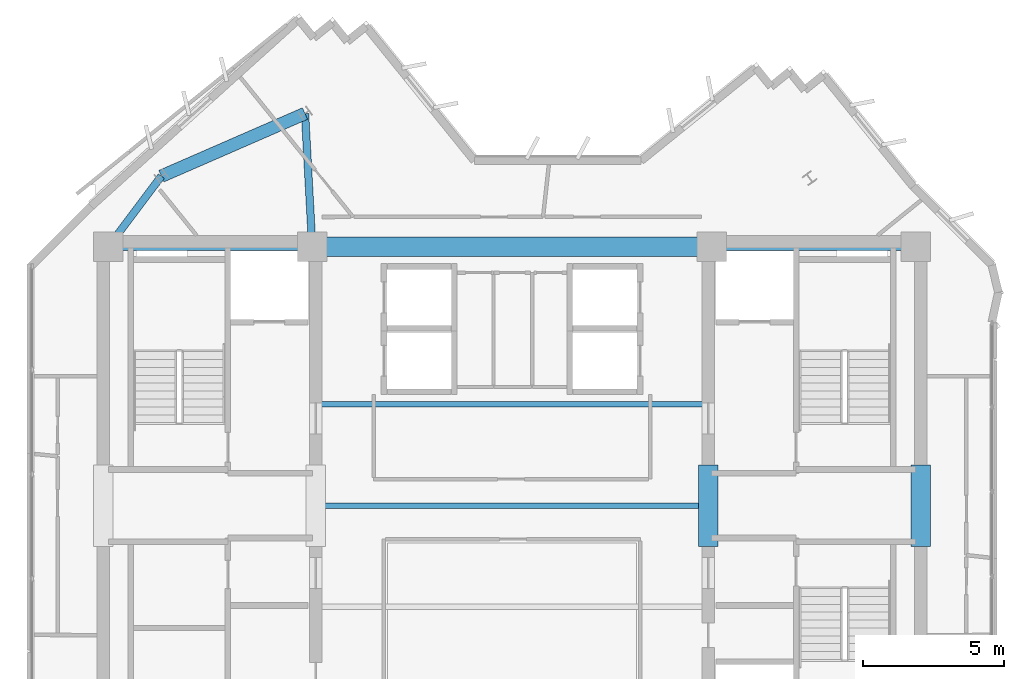
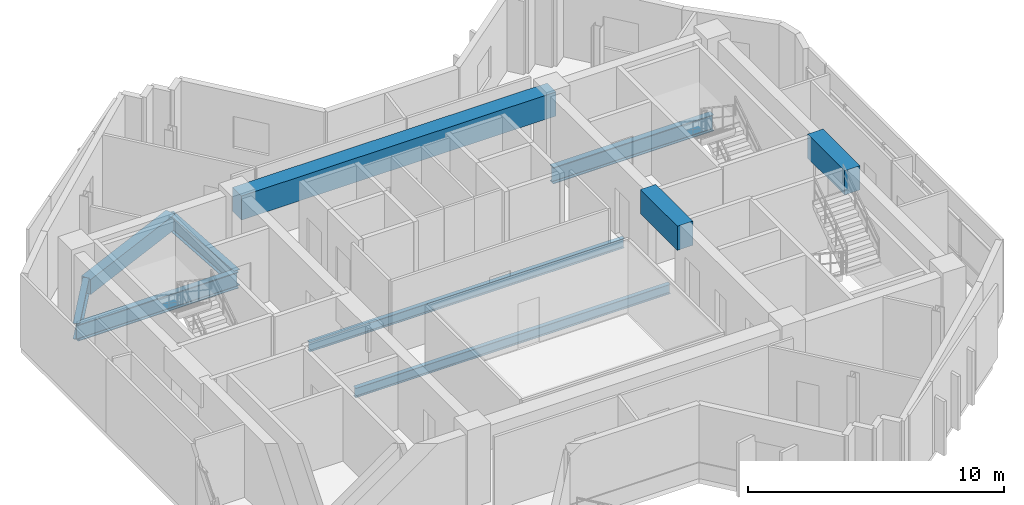
# One storey, part 3 of 11: 10 beams.
"""IFC4 building model written with IfcOpenShell, lengths in metres."""

from ifc_helpers import new_model, si_unit, direction, frame, origin, origin_2d, place, context, subcontext, project, spatial, rectangle, i_section, extrude, source, transform, mapped, material, material_profile, profile_set, type_object, element, save


model = new_model("IFC4")

# Units and contexts
model_context = context("Model", 3, precision=1e-05, world=origin(), true_north=direction((0.0, 1.0)))
body_context = subcontext(model_context, "Body", "Model", "MODEL_VIEW")
ifc_project = project(units=[si_unit("LENGTHUNIT", "METRE"), si_unit("AREAUNIT", "SQUARE_METRE"), si_unit("VOLUMEUNIT", "CUBIC_METRE"), si_unit("PLANEANGLEUNIT", "RADIAN"), si_unit("MASSUNIT", "GRAM", prefix="KILO")], contexts=[model_context])

# Site, building, storey
site_placement = place(None, origin())
site = spatial("IfcSite", under=ifc_project, at=site_placement, CompositionType="ELEMENT")
building_placement = place(site_placement, origin())
building = spatial("IfcBuilding", under=site, at=building_placement, Name="Zahravan Cultural Tower", CompositionType="ELEMENT")
storey_placement = place(building_placement, frame((0.0, 0.0, 287.85009765625)))
storey = spatial("IfcBuildingStorey", under=building, at=storey_placement, Name="L69", CompositionType="ELEMENT", Elevation=287.85009765625)

# Beams
ifc_material_1 = material(Name="Concrete C50/60", Category="concrete")
ifc_material_profile_1 = material_profile(ifc_material_1, rectangle(XDim=0.699951171875, YDim=1.14990234375, at=origin_2d()), Name="RC700X1150")
ifc_profile_set_1 = profile_set([ifc_material_profile_1], Name="Concrete C50/60")
beam_type_1 = type_object("IfcBeamType", Name="BM-LN-RC700X1150", PredefinedType="LINTEL", material=ifc_profile_set_1)
shared_shape_1 = source(origin(), body_context, "Body", "SweptSolid", [
    extrude(rectangle(XDim=0.699951171875, YDim=1.14990234375, at=origin_2d()), origin(), (0.0, 0.0, 1.0), 14.2001953125),
])
beam_1_placement = place(storey_placement, frame((28.89990234375, 36.199951171875, 2.9248046875), z_axis=(1.0, 0.0, 0.0), x_axis=(0.0, 1.0, 0.0)))
element("IfcBeam", 1, at=beam_1_placement, inside=storey, type_object=beam_type_1, Name="L69 Beam LN-L69-N", PredefinedType="LINTEL", context=body_context, shape_type="MappedRepresentation", body=[
    mapped(shared_shape_1, transform((0.0, 0.0, 0.0), x_axis=(1.0, 0.0, 0.0), y_axis=(0.0, 1.0, 0.0), z_axis=(0.0, 0.0, 1.0), scale=1.0)),
])
shared_shape_2 = source(origin(), body_context, "Body", "SweptSolid", [
    extrude(rectangle(XDim=0.699951171875, YDim=1.14990234375, at=origin_2d()), origin(), (0.0, 0.0, 1.0), 2.89990234375),
])
for number, where, z_axis, x_axis, name in (
    (2, (42.97509765625, 25.550048828125, 2.9248046875), (0.0, 1.0, 0.0), (-1.0, 0.0, 0.0), "L69 Beam LN-L69-PEW"),
    (3, (50.52490234375, 25.550048828125, 2.9248046875), (0.0, 1.0, 0.0), (-1.0, 0.0, 0.0), "L69 Beam LN-L69-PEE"),
):
    element("IfcBeam", number, at=place(storey_placement, frame(where, z_axis=z_axis, x_axis=x_axis)), inside=storey, type_object=beam_type_1, Name=name, PredefinedType="LINTEL", context=body_context, shape_type="MappedRepresentation", body=[
        mapped(shared_shape_2, transform((0.0, 0.0, 0.0), x_axis=(1.0, 0.0, 0.0), y_axis=(0.0, 1.0, 0.0), z_axis=(0.0, 0.0, 1.0), scale=1.0)),
    ])
ifc_material_2 = material(Name="Steel ASTM A992 Grade 50", Category="steel")
ifc_material_profile_2 = material_profile(ifc_material_2, i_section(OverallWidth=0.26611328125, OverallDepth=0.780029296875, WebThickness=0.0166015625, FlangeThickness=0.030029296875, FilletRadius=0.01904296875, at=origin_2d()), Name="W30X148")
ifc_profile_set_2 = profile_set([ifc_material_profile_2], Name="Steel ASTM A992 Grade 50")
beam_type_2 = type_object("IfcBeamType", Name="BM-G-W30X148", PredefinedType="BEAM", material=ifc_profile_set_2)
shared_shape_3 = source(origin(), body_context, "Body", "SweptSolid", [
    extrude(i_section(OverallWidth=0.26611328125, OverallDepth=0.780029296875, WebThickness=0.0166015625, FlangeThickness=0.030029296875, FilletRadius=0.01904296875, at=origin_2d()), origin(), (0.0, 0.0, 1.0), 7.25),
])
for number, where, z_axis, x_axis, name in (
    (4, (21.64990234375, 36.199951171875, -0.64013671875), (1.0, 0.0, 0.0), (0.0, 1.0, 0.0), "L69 Beam BG-L69-02"),
    (5, (43.10009765625, 36.199951171875, -0.64013671875), (1.0, 0.0, 0.0), (0.0, 1.0, 0.0), "L69 Beam BG-L69-05"),
):
    element("IfcBeam", number, at=place(storey_placement, frame(where, z_axis=z_axis, x_axis=x_axis)), inside=storey, type_object=beam_type_2, Name=name, PredefinedType="BEAM", context=body_context, shape_type="MappedRepresentation", body=[
        mapped(shared_shape_3, transform((0.0, 0.0, 0.0), x_axis=(1.0, 0.0, 0.0), y_axis=(0.0, 1.0, 0.0), z_axis=(0.0, 0.0, 1.0), scale=1.0)),
    ])
ifc_material_profile_3 = material_profile(ifc_material_2, i_section(OverallWidth=0.26708984375, OverallDepth=0.761962890625, WebThickness=0.014404296875, FlangeThickness=0.021484375, FilletRadius=0.01904296875, at=origin_2d()), Name="W30X116")
ifc_profile_set_3 = profile_set([ifc_material_profile_3], Name="Steel ASTM A992 Grade 50")
beam_type_3 = type_object("IfcBeamType", Name="BM-G-W30X116", PredefinedType="BEAM", material=ifc_profile_set_3)
shared_shape_4 = source(origin(), body_context, "Body", "SweptSolid", [
    extrude(i_section(OverallWidth=0.26708984375, OverallDepth=0.761962890625, WebThickness=0.014404296875, FlangeThickness=0.021484375, FilletRadius=0.01904296875, at=origin_2d()), origin(), (0.0, 0.0, 1.0), 4.744384765625),
])
beam_2_placement = place(storey_placement, frame((28.89990234375, 36.199951171875, -0.631103515625), z_axis=(-0.054238739845, 0.998527996152, 0.0), x_axis=(-0.998527996152, -0.054238739845, 0.0)))
element("IfcBeam", 6, at=beam_2_placement, inside=storey, type_object=beam_type_3, Name="L69 Beam BG-L69-10", PredefinedType="BEAM", context=body_context, shape_type="MappedRepresentation", body=[
    mapped(shared_shape_4, transform((0.0, 0.0, 0.0), x_axis=(1.0, 0.0, 0.0), y_axis=(0.0, 1.0, 0.0), z_axis=(0.0, 0.0, 1.0), scale=1.0)),
])
shared_shape_5 = source(origin(), body_context, "Body", "SweptSolid", [
    extrude(i_section(OverallWidth=0.26708984375, OverallDepth=0.761962890625, WebThickness=0.014404296875, FlangeThickness=0.021484375, FilletRadius=0.01904296875, at=origin_2d()), origin(), (0.0, 0.0, 1.0), 3.140380859375),
])
beam_3_placement = place(storey_placement, frame((21.64990234375, 36.199951171875, -0.631103515625), z_axis=(0.600696322208, 0.799477284534, 0.0), x_axis=(-0.799477284534, 0.600696322208, 0.0)))
element("IfcBeam", 7, at=beam_3_placement, inside=storey, type_object=beam_type_3, Name="L69 Beam BG-L69-11", PredefinedType="BEAM", context=body_context, shape_type="MappedRepresentation", body=[
    mapped(shared_shape_5, transform((0.0, 0.0, 0.0), x_axis=(1.0, 0.0, 0.0), y_axis=(0.0, 1.0, 0.0), z_axis=(0.0, 0.0, 1.0), scale=1.0)),
])
ifc_material_3 = material(Name="Concrete C45/55", Category="concrete")
ifc_material_profile_4 = material_profile(ifc_material_3, rectangle(XDim=0.449951171875, YDim=0.719970703125, at=origin_2d()), Name="RC450X720")
ifc_profile_set_4 = profile_set([ifc_material_profile_4], Name="Concrete C45/55")
beam_type_4 = type_object("IfcBeamType", Name="BM-SP-RC450X720", PredefinedType="SPANDREL", material=ifc_profile_set_4)
shared_shape_6 = source(origin(), body_context, "Body", "SweptSolid", [
    extrude(rectangle(XDim=0.449951171875, YDim=0.719970703125, at=origin_2d()), origin(), (0.0, 0.0, 1.0), 5.570556640625),
])
beam_4_placement = place(storey_placement, frame((28.642578125, 40.937255859375, -0.610107421875), z_axis=(-0.9166445026, -0.399703459896, 0.0), x_axis=(0.399703459896, -0.9166445026, 0.0)))
element("IfcBeam", 8, at=beam_4_placement, inside=storey, type_object=beam_type_4, Name="L69 Beam SP-L69-13", PredefinedType="SPANDREL", context=body_context, shape_type="MappedRepresentation", body=[
    mapped(shared_shape_6, transform((0.0, 0.0, 0.0), x_axis=(1.0, 0.0, 0.0), y_axis=(0.0, 1.0, 0.0), z_axis=(0.0, 0.0, 1.0), scale=1.0)),
])
ifc_material_profile_5 = material_profile(ifc_material_2, i_section(OverallWidth=0.18994140625, OverallDepth=0.45703125, WebThickness=0.009033203125, FlangeThickness=0.014404296875, FilletRadius=0.012939453125, at=origin_2d()), Name="W18X50")
ifc_profile_set_5 = profile_set([ifc_material_profile_5], Name="Steel ASTM A992 Grade 50")
beam_type_5 = type_object("IfcBeamType", Name="BM-J-W18X50", PredefinedType="JOIST", material=ifc_profile_set_5)
shared_shape_7 = source(origin(), body_context, "Body", "SweptSolid", [
    extrude(i_section(OverallWidth=0.18994140625, OverallDepth=0.45703125, WebThickness=0.009033203125, FlangeThickness=0.014404296875, FilletRadius=0.012939453125, at=origin_2d()), origin(), (0.0, 0.0, 1.0), 14.2001953125),
])
for number, where, z_axis, x_axis, name in (
    (9, (28.89990234375, 27.0, -0.478515625), (1.0, 0.0, 0.0), (0.0, 1.0, 0.0), "L69 Beam BJ-L69-16"),
    (10, (28.89990234375, 30.60009765625, -0.478515625), (1.0, 0.0, 0.0), (0.0, 1.0, 0.0), "L69 Beam BJ-L69-17"),
):
    element("IfcBeam", number, at=place(storey_placement, frame(where, z_axis=z_axis, x_axis=x_axis)), inside=storey, type_object=beam_type_5, Name=name, PredefinedType="JOIST", context=body_context, shape_type="MappedRepresentation", body=[
        mapped(shared_shape_7, transform((0.0, 0.0, 0.0), x_axis=(1.0, 0.0, 0.0), y_axis=(0.0, 1.0, 0.0), z_axis=(0.0, 0.0, 1.0), scale=1.0)),
    ])

save(model, "model.ifc")
